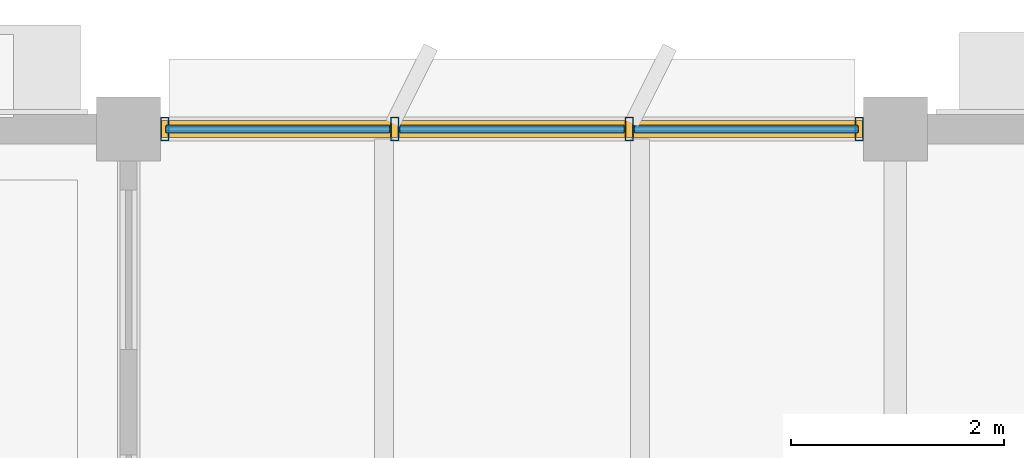
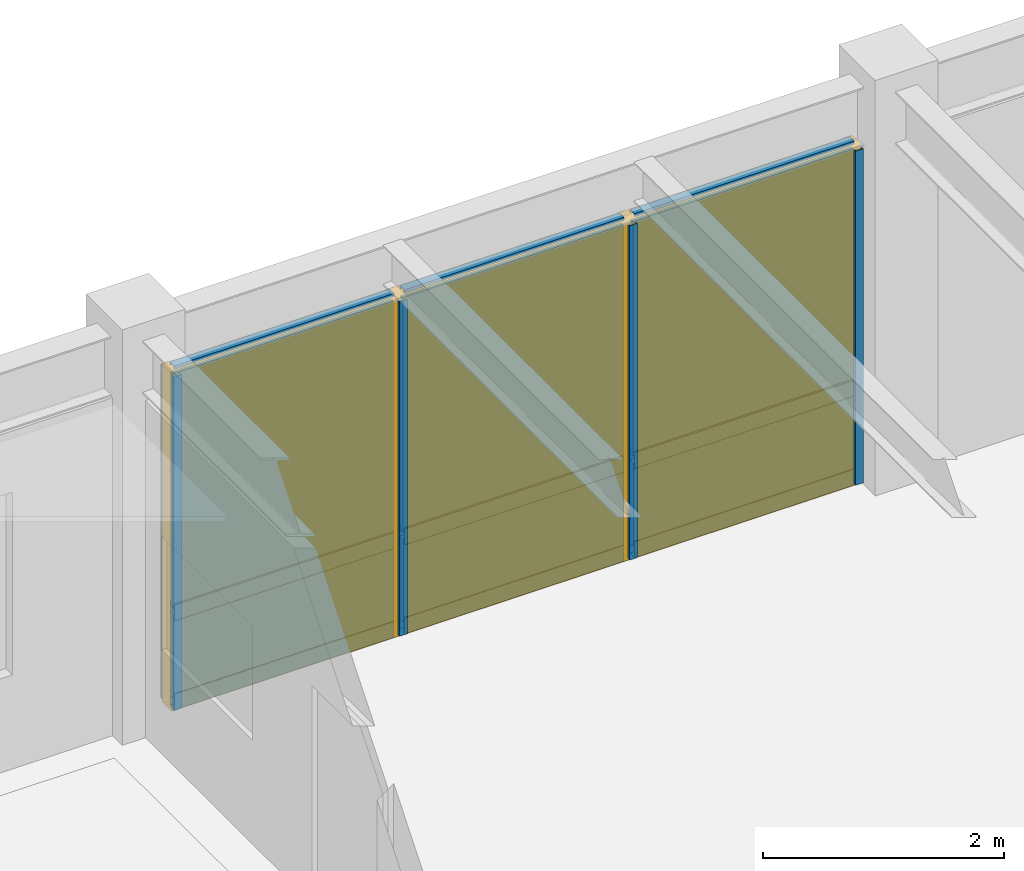
# One storey, part 56 of 85: 13 members, 6 plates, 1 curtain wall.
"""IFC4 building model written with IfcOpenShell, lengths in metres."""

import ifcopenshell
import ifcopenshell.guid

model = None  # the IFC model being written
_history = None  # IfcOwnerHistory: only IFC2X3 demands one
_inside = {}  # id of a spatial element -> (the spatial element, [elements in it])
_under = {}  # id of a project, library or spatial element -> (it, [spatial elements below it])
_declared = {}  # id of a project -> (the project, [libraries it declares])
_typed = {}  # id of a type object -> (the type object, [elements of that type])
_made_of = {}  # id of a material, layer set ... -> (it, [elements and type objects made of it])


def new_model(schema):
    """Start an empty IFC model of exactly this schema.

    Asked for "IFC4X3", IfcOpenShell would pick the latest addendum, in which some entities
    have other attributes; the version numbers below select the first issue.
    IFC2X3 requires an IfcOwnerHistory on every rooted entity: one is made here for all.
    """
    global model, _history
    if schema == "IFC4X3":
        model = ifcopenshell.file(schema_version=(4, 3, 0, 0))
    else:
        model = ifcopenshell.file(schema=schema)
    _inside.clear()
    _under.clear()
    _declared.clear()
    _typed.clear()
    _made_of.clear()
    _history = None
    if model.schema == "IFC2X3":
        org = make("IfcOrganization", Name="unknown")
        user = make(
            "IfcPersonAndOrganization",
            ThePerson=make("IfcPerson", FamilyName="unknown"),
            TheOrganization=org,
        )
        app = make(
            "IfcApplication",
            ApplicationDeveloper=org,
            Version="unknown",
            ApplicationFullName="unknown",
            ApplicationIdentifier="unknown",
        )
        _history = make(
            "IfcOwnerHistory",
            OwningUser=user,
            OwningApplication=app,
            ChangeAction="ADDED",
            CreationDate=0,
        )
    return model


def make(cls, **values):
    """One entity of the class cls with the attributes given. An attribute that is None is left unset."""
    return model.create_entity(
        cls, **{name: value for name, value in values.items() if value is not None}
    )


def rooted(cls, **values):
    """An entity with a GlobalId (a new one), such as an element, a storey or a relation."""
    return make(cls, GlobalId=ifcopenshell.guid.new(), OwnerHistory=_history, **values)


def si_unit(unit_type, name, prefix=None):
    """IfcSIUnit, for example si_unit("LENGTHUNIT", "METRE", prefix="MILLI")."""
    return make("IfcSIUnit", UnitType=unit_type, Prefix=prefix, Name=name)


def assignment(units):
    """IfcUnitAssignment: the units of a project."""
    return None if units is None else make("IfcUnitAssignment", Units=units)


def point(xyz):
    """IfcCartesianPoint."""
    return None if xyz is None else make("IfcCartesianPoint", Coordinates=xyz)


def direction(xyz):
    """IfcDirection."""
    return None if xyz is None else make("IfcDirection", DirectionRatios=xyz)


def frame(location, z_axis=None, x_axis=None):
    """IfcAxis2Placement3D, a coordinate frame: its origin and axes. An axis left out is left unset."""
    return make(
        "IfcAxis2Placement3D",
        Location=point(location),
        Axis=direction(z_axis),
        RefDirection=direction(x_axis),
    )


def frame_2d(location, x_axis=None):
    """IfcAxis2Placement2D, a coordinate frame in the plane: its origin and x axis."""
    return make(
        "IfcAxis2Placement2D", Location=point(location), RefDirection=direction(x_axis)
    )


def origin():
    """The frame at (0, 0, 0) with its axes left unset."""
    return frame((0.0, 0.0, 0.0))


def origin_2d():
    """The frame at (0, 0) in the plane with its x axis left unset."""
    return frame_2d((0.0, 0.0))


def place(relative_to, where):
    """IfcLocalPlacement: puts the frame where relative to a parent placement (None: the world)."""
    return make(
        "IfcLocalPlacement", PlacementRelTo=relative_to, RelativePlacement=where
    )


def context(
    kind, dimensions, precision=None, world=None, true_north=None, identifier=None
):
    """IfcGeometricRepresentationContext, for example the 3D "Model" context."""
    return make(
        "IfcGeometricRepresentationContext",
        ContextIdentifier=identifier,
        ContextType=kind,
        CoordinateSpaceDimension=dimensions,
        Precision=precision,
        WorldCoordinateSystem=world,
        TrueNorth=true_north,
    )


def subcontext(parent, identifier, kind, view, scale=None):
    """IfcGeometricRepresentationSubContext, for example "Body" below "Model"."""
    return make(
        "IfcGeometricRepresentationSubContext",
        ContextIdentifier=identifier,
        ContextType=kind,
        ParentContext=parent,
        TargetScale=scale,
        TargetView=view,
    )


def project(units=None, contexts=None):
    """IfcProject with its units and contexts."""
    return rooted(
        "IfcProject",
        Name="project",
        RepresentationContexts=contexts,
        UnitsInContext=assignment(units),
    )


def spatial(cls, under=None, at=None, **own):
    """A site, building, storey or space (cls), placed at a placement, below another one or the project."""
    s = rooted(cls, ObjectPlacement=at, **own)
    if under is not None:
        _under.setdefault(under.id(), (under, []))[1].append(s)
    return s


def profile(cls, at=None, kind="AREA", **sizes):
    """A parametric profile (cls). Its sizes go by their IFC names, for example OverallWidth=200.0."""
    return make(cls, ProfileType=kind, Position=at, **sizes)


def rectangle(**sizes):
    """IfcRectangleProfileDef."""
    return profile("IfcRectangleProfileDef", **sizes)


def hollow_rectangle(**sizes):
    """IfcRectangleHollowProfileDef."""
    return profile("IfcRectangleHollowProfileDef", **sizes)


def extrude(swept, where, along, depth):
    """IfcExtrudedAreaSolid: the profile swept, set in the frame where, extruded along a direction by depth."""
    return make(
        "IfcExtrudedAreaSolid",
        SweptArea=swept,
        Position=where,
        ExtrudedDirection=direction(along),
        Depth=depth,
    )


def shape(context_of_items, identifier, shape_type, items):
    """IfcShapeRepresentation: the items that make up one representation, for example the "Body"."""
    return make(
        "IfcShapeRepresentation",
        ContextOfItems=context_of_items,
        RepresentationIdentifier=identifier,
        RepresentationType=shape_type,
        Items=items,
    )


def material(Name=None, Category=None):
    """IfcMaterial."""
    return make("IfcMaterial", Name=Name, Category=Category)


def layer(
    of_material, thickness, ventilated=None, Name=None, Category=None, Priority=None
):
    """IfcMaterialLayer: one layer of a wall or slab, of a material (None: an air gap)."""
    return make(
        "IfcMaterialLayer",
        Material=of_material,
        LayerThickness=thickness,
        IsVentilated=ventilated,
        Name=Name,
        Category=Category,
        Priority=Priority,
    )


def layer_set(layers, Name=None):
    """IfcMaterialLayerSet."""
    return make("IfcMaterialLayerSet", MaterialLayers=layers, LayerSetName=Name)


def material_profile(
    of_material, cross_section, Name=None, Category=None, Priority=None
):
    """IfcMaterialProfile: a cross section and its material."""
    return make(
        "IfcMaterialProfile",
        Name=Name,
        Material=of_material,
        Profile=cross_section,
        Priority=Priority,
        Category=Category,
    )


def profile_set(profiles, Name=None, composite=None):
    """IfcMaterialProfileSet."""
    return make(
        "IfcMaterialProfileSet",
        Name=Name,
        MaterialProfiles=profiles,
        CompositeProfile=composite,
    )


def made_of(thing, what):
    """Note that an element or type object is made of a material, layer set ...; save() writes the relation."""
    if what is not None:
        _made_of.setdefault(what.id(), (what, []))[1].append(thing)
    return thing


def type_object(cls, material=None, **own):
    """A type object (cls), such as IfcWallType, which elements share."""
    return made_of(rooted(cls, **own), material)


def element(
    cls,
    number,
    at=None,
    inside=None,
    cuts=None,
    type_object=None,
    material=None,
    context=None,
    identifier="Body",
    shape_type=None,
    held_by="IfcProductDefinitionShape",
    body=None,
    shapes=None,
    **own,
):
    """One element of the class cls, such as IfcWall. Its Tag is "e" and its number.

    at: its placement. inside: the storey or other place that contains it. cuts: it is an
    opening in that element (IfcRelVoidsElement). A single representation is given by context,
    identifier, shape_type and body (its items); several are given by shapes. held_by: the class
    of the entity that holds the representations. save() writes the other relations.
    """
    e = rooted(cls, Tag="e%d" % number, ObjectPlacement=at, **own)
    if body is not None:
        shapes = [shape(context, identifier, shape_type, body)]
    if shapes is not None:
        e.Representation = make(held_by, Representations=shapes)
    if inside is not None:
        _inside.setdefault(inside.id(), (inside, []))[1].append(e)
    if cuts is not None:
        rooted(
            "IfcRelVoidsElement", RelatingBuildingElement=cuts, RelatedOpeningElement=e
        )
    if type_object is not None:
        _typed.setdefault(type_object.id(), (type_object, []))[1].append(e)
    return made_of(e, material)


def aggregate(whole, parts):
    """IfcRelAggregates: a whole, such as a stair, and the parts it consists of."""
    return rooted("IfcRelAggregates", RelatingObject=whole, RelatedObjects=parts)


def save(model, path):
    """Write the relations noted so far, then the file.

    IfcRelAggregates (storeys below a building ...), IfcRelContainedInSpatialStructure (elements
    in a storey), IfcRelDefinesByType, IfcRelAssociatesMaterial and IfcRelDeclares: one each for
    every whole, place, type object, material and project.
    """
    for whole, parts in _under.values():
        aggregate(whole, parts)
    for where, things in _inside.values():
        rooted(
            "IfcRelContainedInSpatialStructure",
            RelatedElements=things,
            RelatingStructure=where,
        )
    for kind, things in _typed.values():
        rooted("IfcRelDefinesByType", RelatedObjects=things, RelatingType=kind)
    for what, things in _made_of.values():
        rooted("IfcRelAssociatesMaterial", RelatedObjects=things, RelatingMaterial=what)
    for by, libraries in _declared.values():
        rooted("IfcRelDeclares", RelatingContext=by, RelatedDefinitions=libraries)
    model.write(path)


model = new_model("IFC4")

# Units and contexts
model_context = context("Model", 3, precision=1e-05, world=origin(), true_north=direction((0.0, 1.0)))
body_context = subcontext(model_context, "Body", "Model", "MODEL_VIEW")
ifc_project = project(units=[si_unit("LENGTHUNIT", "METRE"), si_unit("AREAUNIT", "SQUARE_METRE"), si_unit("VOLUMEUNIT", "CUBIC_METRE"), si_unit("PLANEANGLEUNIT", "RADIAN"), si_unit("MASSUNIT", "GRAM", prefix="KILO")], contexts=[model_context])

# Member
ifc_material_1 = material(Name="Anodized Aluminium 6063-T6", Category="aluminium")
ifc_material_profile_1 = material_profile(ifc_material_1, hollow_rectangle(XDim=0.074951171875, YDim=0.219970703125, WallThickness=0.0048828125, at=origin_2d()), Name="ALU 75x220x5")
ifc_profile_set_1 = profile_set([ifc_material_profile_1], Name="Anodized Aluminium 6063-T6")
member_type_1 = type_object("IfcMemberType", Name="CWM-75X180", PredefinedType="MULLION", material=ifc_profile_set_1)
site_placement = place(None, origin())
building_placement = place(site_placement, origin())
storey_placement = place(building_placement, frame((0.0, 0.0, 9.89990234375)))
member_1_placement = place(storey_placement, frame((50.739990234375, 115.199951171875, 0.02001953125), z_axis=(0.0, 0.0, 1.0), x_axis=(1.0, 0.0, 0.0)))
member_1 = element("IfcMember", 1, at=member_1_placement, type_object=member_type_1, Name="Curtain wall mullion CW-L03-07-15-N-00", PredefinedType="MULLION", context=body_context, shape_type="SweptSolid", body=[
    extrude(hollow_rectangle(XDim=0.074951171875, YDim=0.219970703125, WallThickness=0.0048828125, at=origin_2d()), origin(), (0.0, 0.0, 1.0), 3.378173828125),
])

member_2_placement = place(storey_placement, frame((52.89990234375, 115.199951171875, 0.02001953125), z_axis=(0.0, 0.0, 1.0), x_axis=(1.0, 0.0, 0.0)))
member_2 = element("IfcMember", 2, at=member_2_placement, type_object=member_type_1, Name="Curtain wall mullion CW-L03-07-15-N-01", PredefinedType="MULLION", context=body_context, shape_type="SweptSolid", body=[
    extrude(hollow_rectangle(XDim=0.074951171875, YDim=0.219970703125, WallThickness=0.0048828125, at=origin_2d()), origin(), (0.0, 0.0, 1.0), 3.378173828125),
])

member_3_placement = place(storey_placement, frame((55.10009765625, 115.199951171875, 0.02001953125), z_axis=(0.0, 0.0, 1.0), x_axis=(1.0, 0.0, 0.0)))
member_3 = element("IfcMember", 3, at=member_3_placement, type_object=member_type_1, Name="Curtain wall mullion CW-L03-07-15-N-02", PredefinedType="MULLION", context=body_context, shape_type="SweptSolid", body=[
    extrude(hollow_rectangle(XDim=0.074951171875, YDim=0.219970703125, WallThickness=0.0048828125, at=origin_2d()), origin(), (0.0, 0.0, 1.0), 3.378173828125),
])

member_4_placement = place(storey_placement, frame((57.260009765625, 115.199951171875, 0.02001953125), z_axis=(0.0, 0.0, 1.0), x_axis=(1.0, 0.0, 0.0)))
member_4 = element("IfcMember", 4, at=member_4_placement, type_object=member_type_1, Name="Curtain wall mullion CW-L03-07-15-N-03", PredefinedType="MULLION", context=body_context, shape_type="SweptSolid", body=[
    extrude(hollow_rectangle(XDim=0.074951171875, YDim=0.219970703125, WallThickness=0.0048828125, at=origin_2d()), origin(), (0.0, 0.0, 1.0), 3.378173828125),
])

ifc_material_profile_2 = material_profile(ifc_material_1, hollow_rectangle(XDim=0.074951171875, YDim=0.159912109375, WallThickness=0.00390625, at=origin_2d()), Name="ALU 75x160x4")
ifc_profile_set_2 = profile_set([ifc_material_profile_2], Name="Anodized Aluminium 6063-T6")
member_type_2 = type_object("IfcMemberType", Name="CWT-75X150", PredefinedType="USERDEFINED", material=ifc_profile_set_2)
member_5_placement = place(storey_placement, frame((50.75, 115.199951171875, 0.050048828125), z_axis=(1.0, 0.0, 0.0), x_axis=(0.0, 1.0, 0.0)))
member_5 = element("IfcMember", 5, at=member_5_placement, type_object=member_type_2, Name="Curtain wall transom CW-L03-07-15-N-1.01", ObjectType="TRANSOM", PredefinedType="USERDEFINED", context=body_context, shape_type="SweptSolid", body=[
    extrude(hollow_rectangle(XDim=0.074951171875, YDim=0.159912109375, WallThickness=0.00390625, at=origin_2d()), origin(), (0.0, 0.0, 1.0), 2.10009765625),
])

member_6_placement = place(storey_placement, frame((52.949951171875, 115.199951171875, 0.050048828125), z_axis=(1.0, 0.0, 0.0), x_axis=(0.0, 1.0, 0.0)))
member_6 = element("IfcMember", 6, at=member_6_placement, type_object=member_type_2, Name="Curtain wall transom CW-L03-07-15-N-1.02", ObjectType="TRANSOM", PredefinedType="USERDEFINED", context=body_context, shape_type="SweptSolid", body=[
    extrude(hollow_rectangle(XDim=0.074951171875, YDim=0.159912109375, WallThickness=0.00390625, at=origin_2d()), origin(), (0.0, 0.0, 1.0), 2.10009765625),
])

member_7_placement = place(storey_placement, frame((55.14990234375, 115.199951171875, 0.050048828125), z_axis=(1.0, 0.0, 0.0), x_axis=(0.0, 1.0, 0.0)))
member_7 = element("IfcMember", 7, at=member_7_placement, type_object=member_type_2, Name="Curtain wall transom CW-L03-07-15-N-1.03", ObjectType="TRANSOM", PredefinedType="USERDEFINED", context=body_context, shape_type="SweptSolid", body=[
    extrude(hollow_rectangle(XDim=0.074951171875, YDim=0.159912109375, WallThickness=0.00390625, at=origin_2d()), origin(), (0.0, 0.0, 1.0), 2.10009765625),
])

member_8_placement = place(storey_placement, frame((50.75, 115.199951171875, 0.9501953125), z_axis=(1.0, 0.0, 0.0), x_axis=(0.0, 1.0, 0.0)))
member_8 = element("IfcMember", 8, at=member_8_placement, type_object=member_type_2, Name="Curtain wall transom CW-L03-07-15-N-2.01", ObjectType="TRANSOM", PredefinedType="USERDEFINED", context=body_context, shape_type="SweptSolid", body=[
    extrude(hollow_rectangle(XDim=0.074951171875, YDim=0.159912109375, WallThickness=0.00390625, at=origin_2d()), origin(), (0.0, 0.0, 1.0), 2.10009765625),
])

member_9_placement = place(storey_placement, frame((52.949951171875, 115.199951171875, 0.9501953125), z_axis=(1.0, 0.0, 0.0), x_axis=(0.0, 1.0, 0.0)))
member_9 = element("IfcMember", 9, at=member_9_placement, type_object=member_type_2, Name="Curtain wall transom CW-L03-07-15-N-2.02", ObjectType="TRANSOM", PredefinedType="USERDEFINED", context=body_context, shape_type="SweptSolid", body=[
    extrude(hollow_rectangle(XDim=0.074951171875, YDim=0.159912109375, WallThickness=0.00390625, at=origin_2d()), origin(), (0.0, 0.0, 1.0), 2.10009765625),
])

member_10_placement = place(storey_placement, frame((55.14990234375, 115.199951171875, 0.9501953125), z_axis=(1.0, 0.0, 0.0), x_axis=(0.0, 1.0, 0.0)))
member_10 = element("IfcMember", 10, at=member_10_placement, type_object=member_type_2, Name="Curtain wall transom CW-L03-07-15-N-2.03", ObjectType="TRANSOM", PredefinedType="USERDEFINED", context=body_context, shape_type="SweptSolid", body=[
    extrude(hollow_rectangle(XDim=0.074951171875, YDim=0.159912109375, WallThickness=0.00390625, at=origin_2d()), origin(), (0.0, 0.0, 1.0), 2.10009765625),
])

member_11_placement = place(storey_placement, frame((50.75, 115.199951171875, 3.3681640625), z_axis=(1.0, 0.0, 0.0), x_axis=(0.0, 1.0, 0.0)))
member_11 = element("IfcMember", 11, at=member_11_placement, type_object=member_type_2, Name="Curtain wall transom CW-L03-07-15-N-3.01", ObjectType="TRANSOM", PredefinedType="USERDEFINED", context=body_context, shape_type="SweptSolid", body=[
    extrude(hollow_rectangle(XDim=0.074951171875, YDim=0.159912109375, WallThickness=0.00390625, at=origin_2d()), origin(), (0.0, 0.0, 1.0), 2.10009765625),
])

member_12_placement = place(storey_placement, frame((52.949951171875, 115.199951171875, 3.3681640625), z_axis=(1.0, 0.0, 0.0), x_axis=(0.0, 1.0, 0.0)))
member_12 = element("IfcMember", 12, at=member_12_placement, type_object=member_type_2, Name="Curtain wall transom CW-L03-07-15-N-3.02", ObjectType="TRANSOM", PredefinedType="USERDEFINED", context=body_context, shape_type="SweptSolid", body=[
    extrude(hollow_rectangle(XDim=0.074951171875, YDim=0.159912109375, WallThickness=0.00390625, at=origin_2d()), origin(), (0.0, 0.0, 1.0), 2.10009765625),
])

member_13_placement = place(storey_placement, frame((55.14990234375, 115.199951171875, 3.3681640625), z_axis=(1.0, 0.0, 0.0), x_axis=(0.0, 1.0, 0.0)))
member_13 = element("IfcMember", 13, at=member_13_placement, type_object=member_type_2, Name="Curtain wall transom CW-L03-07-15-N-3.03", ObjectType="TRANSOM", PredefinedType="USERDEFINED", context=body_context, shape_type="SweptSolid", body=[
    extrude(hollow_rectangle(XDim=0.074951171875, YDim=0.159912109375, WallThickness=0.00390625, at=origin_2d()), origin(), (0.0, 0.0, 1.0), 2.10009765625),
])

# Plate
ifc_material_2 = material(Name="Acoustic Laminated Low-E Glazing", Category="glass")
ifc_layer_1 = layer(ifc_material_2, 0.0439453125)
ifc_layer_set_1 = layer_set([ifc_layer_1], Name="Acoustic Laminated Low-E Glazing")
plate_type_1 = type_object("IfcPlateType", Name="CWP-IGU-44", PredefinedType="CURTAIN_PANEL", material=ifc_layer_set_1)
plate_1_placement = place(storey_placement, frame((51.800048828125, 115.199951171875, 0.990234375), z_axis=(0.0, 0.0, 1.0), x_axis=(1.0, 0.0, 0.0)))
plate_1 = element("IfcPlate", 14, at=plate_1_placement, type_object=plate_type_1, Name="Curtain wall vision glazing CW-L03-07-15-N-01", PredefinedType="CURTAIN_PANEL", context=body_context, shape_type="SweptSolid", body=[
    extrude(rectangle(XDim=2.110107421875, YDim=0.0400390625, at=origin_2d()), origin(), (0.0, 0.0, 1.0), 2.367919921875),
])

plate_2_placement = place(storey_placement, frame((54.0, 115.199951171875, 0.990234375), z_axis=(0.0, 0.0, 1.0), x_axis=(1.0, 0.0, 0.0)))
plate_2 = element("IfcPlate", 15, at=plate_2_placement, type_object=plate_type_1, Name="Curtain wall vision glazing CW-L03-07-15-N-02", PredefinedType="CURTAIN_PANEL", context=body_context, shape_type="SweptSolid", body=[
    extrude(rectangle(XDim=2.110107421875, YDim=0.0400390625, at=origin_2d()), origin(), (0.0, 0.0, 1.0), 2.367919921875),
])

plate_3_placement = place(storey_placement, frame((56.199951171875, 115.199951171875, 0.990234375), z_axis=(0.0, 0.0, 1.0), x_axis=(1.0, 0.0, 0.0)))
plate_3 = element("IfcPlate", 16, at=plate_3_placement, type_object=plate_type_1, Name="Curtain wall vision glazing CW-L03-07-15-N-03", PredefinedType="CURTAIN_PANEL", context=body_context, shape_type="SweptSolid", body=[
    extrude(rectangle(XDim=2.110107421875, YDim=0.0400390625, at=origin_2d()), origin(), (0.0, 0.0, 1.0), 2.367919921875),
])

ifc_material_3 = material(Name="Insulated Stone-Composite Spandrel", Category="masonry")
ifc_layer_2 = layer(ifc_material_3, 0.068115234375)
ifc_layer_set_2 = layer_set([ifc_layer_2], Name="Insulated Stone-Composite Spandrel")
plate_type_2 = type_object("IfcPlateType", Name="CWP-SPN-68", PredefinedType="CURTAIN_PANEL", material=ifc_layer_set_2)
plate_4_placement = place(storey_placement, frame((51.800048828125, 115.199951171875, 0.080078125), z_axis=(0.0, 0.0, 1.0), x_axis=(1.0, 0.0, 0.0)))
plate_4 = element("IfcPlate", 17, at=plate_4_placement, type_object=plate_type_2, Name="Curtain wall spandrel panel CW-L03-07-15-N-01", PredefinedType="CURTAIN_PANEL", context=body_context, shape_type="SweptSolid", body=[
    extrude(rectangle(XDim=2.110107421875, YDim=0.06005859375, at=origin_2d()), origin(), (0.0, 0.0, 1.0), 0.840087890625),
])

plate_5_placement = place(storey_placement, frame((54.0, 115.199951171875, 0.080078125), z_axis=(0.0, 0.0, 1.0), x_axis=(1.0, 0.0, 0.0)))
plate_5 = element("IfcPlate", 18, at=plate_5_placement, type_object=plate_type_2, Name="Curtain wall spandrel panel CW-L03-07-15-N-02", PredefinedType="CURTAIN_PANEL", context=body_context, shape_type="SweptSolid", body=[
    extrude(rectangle(XDim=2.110107421875, YDim=0.06005859375, at=origin_2d()), origin(), (0.0, 0.0, 1.0), 0.840087890625),
])

plate_6_placement = place(storey_placement, frame((56.199951171875, 115.199951171875, 0.080078125), z_axis=(0.0, 0.0, 1.0), x_axis=(1.0, 0.0, 0.0)))
plate_6 = element("IfcPlate", 19, at=plate_6_placement, type_object=plate_type_2, Name="Curtain wall spandrel panel CW-L03-07-15-N-03", PredefinedType="CURTAIN_PANEL", context=body_context, shape_type="SweptSolid", body=[
    extrude(rectangle(XDim=2.110107421875, YDim=0.06005859375, at=origin_2d()), origin(), (0.0, 0.0, 1.0), 0.840087890625),
])

# Site, building, storey
site = spatial("IfcSite", under=ifc_project, at=site_placement, CompositionType="ELEMENT")
building = spatial("IfcBuilding", under=site, at=building_placement, Name="Sillqori Civic Hall", CompositionType="ELEMENT")
storey = spatial("IfcBuildingStorey", under=building, at=storey_placement, Name="L03", CompositionType="ELEMENT", Elevation=9.89990234375)

# Curtain wall
ifc_material_4 = material(Name="Anodized Aluminium Curtain Wall System", Category="aluminium")
curtain_wall_type = type_object("IfcCurtainWallType", Name="CW-GL-400", PredefinedType="NOTDEFINED", material=ifc_material_4)
curtain_wall_placement = place(storey_placement, frame((54.0, 115.199951171875, 0.0), z_axis=(0.0, 0.0, 1.0), x_axis=(1.0, 0.0, 0.0)))
curtain_wall = element("IfcCurtainWall", 20, at=curtain_wall_placement, inside=storey, type_object=curtain_wall_type, Name="L03 unitised curtain wall CW-L03-07-15-N", PredefinedType="NOTDEFINED", context=body_context, shape_type="SweptSolid", body=[
    extrude(rectangle(XDim=6.60009765625, YDim=0.159912109375, at=origin_2d()), origin(), (0.0, 0.0, 1.0), 3.41796875),
])

aggregate(curtain_wall, [member_1, member_2, member_3, member_4, member_5, member_6, member_7, member_8, member_9, member_10, member_11, member_12, member_13, plate_4, plate_1, plate_5, plate_2, plate_6, plate_3])

save(model, "model.ifc")
